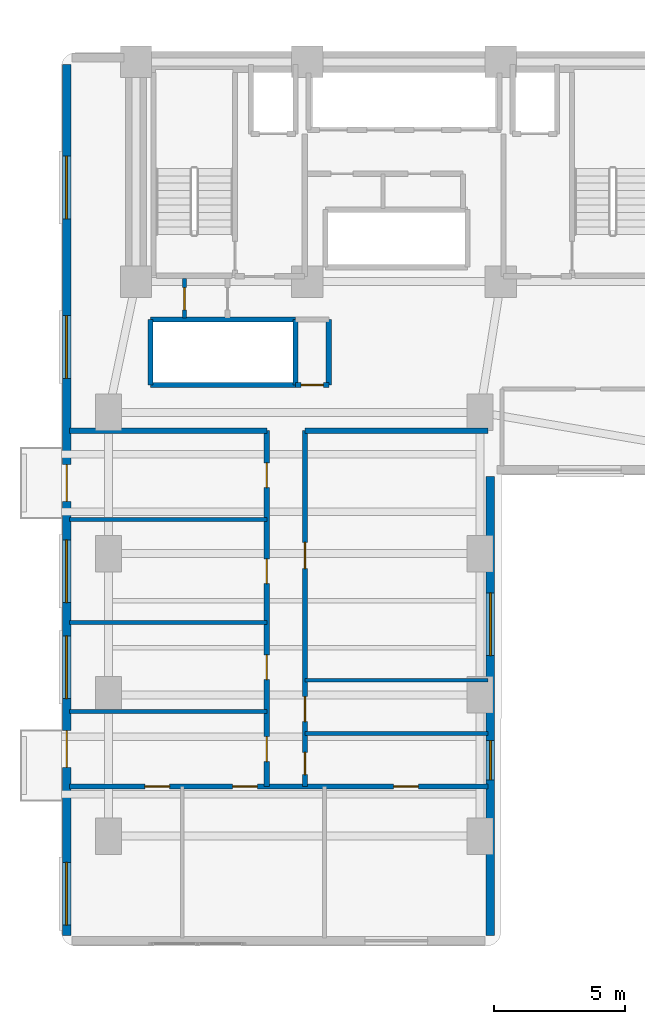
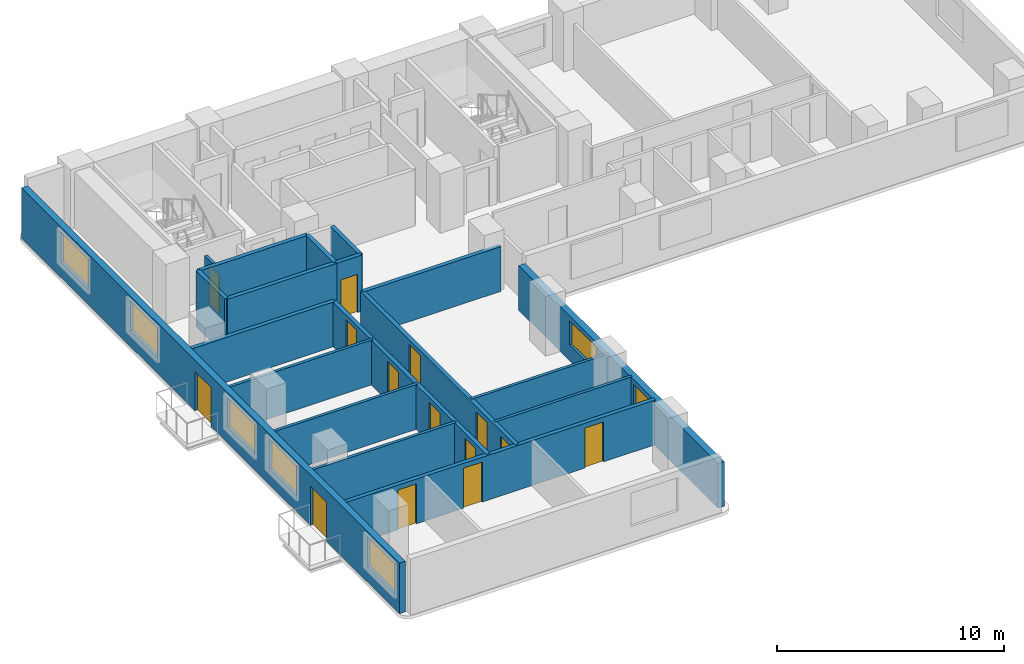
# One storey, part 10 of 18: 19 walls, 14 doors, 7 windows, 21 openings.
"""IFC4 building model written with IfcOpenShell, lengths in metres."""

from ifc_helpers import new_model, si_unit, direction, frame, frame_2d, origin, place, context, subcontext, project, spatial, rectangle, extrude, material, layer, layer_set, type_object, element, fill, save


model = new_model("IFC4")

# Units and contexts
model_context = context("Model", 3, precision=1e-05, world=origin(), true_north=direction((0.0, 1.0)))
body_context = subcontext(model_context, "Body", "Model", "MODEL_VIEW")
ifc_project = project(units=[si_unit("LENGTHUNIT", "METRE"), si_unit("AREAUNIT", "SQUARE_METRE"), si_unit("VOLUMEUNIT", "CUBIC_METRE"), si_unit("PLANEANGLEUNIT", "RADIAN"), si_unit("MASSUNIT", "GRAM", prefix="KILO")], contexts=[model_context])

# Site, building, storey
site_placement = place(None, origin())
site = spatial("IfcSite", under=ifc_project, at=site_placement, CompositionType="ELEMENT")
building_placement = place(site_placement, origin())
building = spatial("IfcBuilding", under=site, at=building_placement, Name="Kuzgunbayir Cultural Tower", CompositionType="ELEMENT")
storey_placement = place(building_placement, frame((0.0, 0.0, 53.199951171875)))
storey = spatial("IfcBuildingStorey", under=building, at=storey_placement, Name="L14", CompositionType="ELEMENT", Elevation=53.199951171875)

# Wall, openings, doors, windows
ifc_material_1 = material(Name="Travertine Buff Ashlar", Category="masonry")
ifc_layer_1 = layer(ifc_material_1, 0.320068359375)
ifc_layer_set_1 = layer_set([ifc_layer_1], Name="Travertine Buff Ashlar")
wall_type_1 = type_object("IfcWallType", Name="WAL-EXT-STONE-320", PredefinedType="STANDARD", material=ifc_layer_set_1)
wall_1_placement = place(storey_placement, frame((3.800048828125, 42.10009765625, 0.0), z_axis=(0.0, 0.0, 1.0), x_axis=(0.0, -1.0, 0.0)))
wall_1 = element("IfcWall", 1, at=wall_1_placement, inside=storey, type_object=wall_type_1, Name="L14 Wing A West Limestone Wall", PredefinedType="STANDARD", context=body_context, shape_type="SweptSolid", body=[
    extrude(rectangle(XDim=33.300048828125, YDim=0.320068359375, at=frame_2d((16.64990234375, 0.0))), origin(), (0.0, 0.0, 1.0), 2.7099609375),
])
opening_1_placement = place(wall_1_placement, frame((25.469970703125, 0.0, 0.0)))
opening_1 = element("IfcOpeningElement", 2, at=opening_1_placement, cuts=wall_1, Name="Opening BD-15", PredefinedType="OPENING", context=body_context, shape_type="SweptSolid", body=[
    extrude(rectangle(XDim=1.39990234375, YDim=2.10009765625, at=frame_2d((0.699951171875, 1.050048828125))), frame((0.0, 0.169921875, 0.0), z_axis=(0.0, -1.0, 0.0), x_axis=(1.0, 0.0, 0.0)), (0.0, 0.0, 1.0), 0.340087890625),
])
opening_2_placement = place(wall_1_placement, frame((15.300048828125, 0.0, 0.0)))
opening_2 = element("IfcOpeningElement", 3, at=opening_2_placement, cuts=wall_1, Name="Opening BD-15", PredefinedType="OPENING", context=body_context, shape_type="SweptSolid", body=[
    extrude(rectangle(XDim=1.39990234375, YDim=2.10009765625, at=frame_2d((0.699951171875, 1.050048828125))), frame((0.0, 0.169921875, 0.0), z_axis=(0.0, -1.0, 0.0), x_axis=(1.0, 0.0, 0.0)), (0.0, 0.0, 1.0), 0.340087890625),
])
opening_3_placement = place(wall_1_placement, frame((21.840087890625, 0.0, 0.85009765625)))
opening_3 = element("IfcOpeningElement", 4, at=opening_3_placement, cuts=wall_1, Name="Opening WO-24", PredefinedType="OPENING", context=body_context, shape_type="SweptSolid", body=[
    extrude(rectangle(XDim=2.39990234375, YDim=1.610107421875, at=frame_2d((1.199951171875, 0.80517578125))), frame((0.0, 0.169921875, 0.0), z_axis=(0.0, -1.0, 0.0), x_axis=(1.0, 0.0, 0.0)), (0.0, 0.0, 1.0), 0.340087890625),
])
opening_4_placement = place(wall_1_placement, frame((18.169921875, 0.0, 0.85009765625)))
opening_4 = element("IfcOpeningElement", 5, at=opening_4_placement, cuts=wall_1, Name="Opening WO-24", PredefinedType="OPENING", context=body_context, shape_type="SweptSolid", body=[
    extrude(rectangle(XDim=2.39990234375, YDim=1.610107421875, at=frame_2d((1.199951171875, 0.80517578125))), frame((0.0, 0.169921875, 0.0), z_axis=(0.0, -1.0, 0.0), x_axis=(1.0, 0.0, 0.0)), (0.0, 0.0, 1.0), 0.340087890625),
])
opening_5_placement = place(wall_1_placement, frame((30.5, 0.0, 0.85009765625)))
opening_5 = element("IfcOpeningElement", 6, at=opening_5_placement, cuts=wall_1, Name="Opening WO-24", PredefinedType="OPENING", context=body_context, shape_type="SweptSolid", body=[
    extrude(rectangle(XDim=2.39990234375, YDim=1.610107421875, at=frame_2d((1.199951171875, 0.80517578125))), frame((0.0, 0.169921875, 0.0), z_axis=(0.0, -1.0, 0.0), x_axis=(1.0, 0.0, 0.0)), (0.0, 0.0, 1.0), 0.340087890625),
])
opening_6_placement = place(wall_1_placement, frame((9.60009765625, 0.0, 0.85009765625)))
opening_6 = element("IfcOpeningElement", 7, at=opening_6_placement, cuts=wall_1, Name="Opening WO-24", PredefinedType="OPENING", context=body_context, shape_type="SweptSolid", body=[
    extrude(rectangle(XDim=2.39990234375, YDim=1.610107421875, at=frame_2d((1.199951171875, 0.80517578125))), frame((0.0, 0.169921875, 0.0), z_axis=(0.0, -1.0, 0.0), x_axis=(1.0, 0.0, 0.0)), (0.0, 0.0, 1.0), 0.340087890625),
])
opening_7_placement = place(wall_1_placement, frame((3.5, 0.0, 0.85009765625)))
opening_7 = element("IfcOpeningElement", 8, at=opening_7_placement, cuts=wall_1, Name="Opening WO-24", PredefinedType="OPENING", context=body_context, shape_type="SweptSolid", body=[
    extrude(rectangle(XDim=2.39990234375, YDim=1.610107421875, at=frame_2d((1.199951171875, 0.80517578125))), frame((0.0, 0.169921875, 0.0), z_axis=(0.0, -1.0, 0.0), x_axis=(1.0, 0.0, 0.0)), (0.0, 0.0, 1.0), 0.340087890625),
])
ifc_material_2 = material(Name="Thermally Broken Glazed Aluminium", Category="aluminium")
door_type_1 = type_object("IfcDoorType", Name="DR-BALCONY-150", OperationType="SLIDING_TO_RIGHT", PredefinedType="DOOR", material=ifc_material_2)
door_1_placement = place(opening_1_placement, origin())
door_1 = element("IfcDoor", 9, at=door_1_placement, inside=storey, type_object=door_type_1, Name="L14 West Balcony Sliding Door BAL-L14-WA1", OperationType="SLIDING_TO_RIGHT", OverallHeight=2.10009765625, OverallWidth=1.39990234375, PredefinedType="DOOR", context=body_context, shape_type="SweptSolid", body=[
    extrude(rectangle(XDim=1.39990234375, YDim=2.10009765625, at=frame_2d((0.699951171875, 1.050048828125))), frame((0.0, 0.02490234375, 0.0), z_axis=(0.0, -1.0, 0.0), x_axis=(1.0, 0.0, 0.0)), (0.0, 0.0, 1.0), 0.050048828125),
])
fill(opening_1, door_1)
door_2_placement = place(opening_2_placement, origin())
door_2 = element("IfcDoor", 10, at=door_2_placement, inside=storey, type_object=door_type_1, Name="L14 West Balcony Sliding Door BAL-L14-WA3", OperationType="SLIDING_TO_RIGHT", OverallHeight=2.10009765625, OverallWidth=1.39990234375, PredefinedType="DOOR", context=body_context, shape_type="SweptSolid", body=[
    extrude(rectangle(XDim=1.39990234375, YDim=2.10009765625, at=frame_2d((0.699951171875, 1.050048828125))), frame((0.0, 0.02490234375, 0.0), z_axis=(0.0, -1.0, 0.0), x_axis=(1.0, 0.0, 0.0)), (0.0, 0.0, 1.0), 0.050048828125),
])
fill(opening_2, door_2)
ifc_material_3 = material(Name="Solar-Control Triple Glazing", Category="glass")
window_type_1 = type_object("IfcWindowType", Name="WIN-OFFICE-24", PartitioningType="SINGLE_PANEL", PredefinedType="WINDOW", material=ifc_material_3)
window_1_placement = place(opening_3_placement, origin())
window_1 = element("IfcWindow", 11, at=window_1_placement, inside=storey, type_object=window_type_1, Name="L14 WAW Facade Window 2", OverallHeight=1.610107421875, OverallWidth=2.39990234375, PartitioningType="SINGLE_PANEL", PredefinedType="WINDOW", context=body_context, shape_type="SweptSolid", body=[
    extrude(rectangle(XDim=2.39990234375, YDim=1.610107421875, at=frame_2d((1.199951171875, 0.80517578125))), frame((0.0, 0.030029296875, 0.0), z_axis=(0.0, -1.0, 0.0), x_axis=(1.0, 0.0, 0.0)), (0.0, 0.0, 1.0), 0.06005859375),
])
fill(opening_3, window_1)
window_2_placement = place(opening_4_placement, origin())
window_2 = element("IfcWindow", 12, at=window_2_placement, inside=storey, type_object=window_type_1, Name="L14 WAW Facade Window 3", OverallHeight=1.610107421875, OverallWidth=2.39990234375, PartitioningType="SINGLE_PANEL", PredefinedType="WINDOW", context=body_context, shape_type="SweptSolid", body=[
    extrude(rectangle(XDim=2.39990234375, YDim=1.610107421875, at=frame_2d((1.199951171875, 0.80517578125))), frame((0.0, 0.030029296875, 0.0), z_axis=(0.0, -1.0, 0.0), x_axis=(1.0, 0.0, 0.0)), (0.0, 0.0, 1.0), 0.06005859375),
])
fill(opening_4, window_2)
window_3_placement = place(opening_5_placement, origin())
window_3 = element("IfcWindow", 13, at=window_3_placement, inside=storey, type_object=window_type_1, Name="L14 WAW Facade Window 7", OverallHeight=1.610107421875, OverallWidth=2.39990234375, PartitioningType="SINGLE_PANEL", PredefinedType="WINDOW", context=body_context, shape_type="SweptSolid", body=[
    extrude(rectangle(XDim=2.39990234375, YDim=1.610107421875, at=frame_2d((1.199951171875, 0.80517578125))), frame((0.0, 0.030029296875, 0.0), z_axis=(0.0, -1.0, 0.0), x_axis=(1.0, 0.0, 0.0)), (0.0, 0.0, 1.0), 0.06005859375),
])
fill(opening_5, window_3)
window_4_placement = place(opening_6_placement, origin())
window_4 = element("IfcWindow", 14, at=window_4_placement, inside=storey, type_object=window_type_1, Name="L14 WAW Facade Window 8", OverallHeight=1.610107421875, OverallWidth=2.39990234375, PartitioningType="SINGLE_PANEL", PredefinedType="WINDOW", context=body_context, shape_type="SweptSolid", body=[
    extrude(rectangle(XDim=2.39990234375, YDim=1.610107421875, at=frame_2d((1.199951171875, 0.80517578125))), frame((0.0, 0.030029296875, 0.0), z_axis=(0.0, -1.0, 0.0), x_axis=(1.0, 0.0, 0.0)), (0.0, 0.0, 1.0), 0.06005859375),
])
fill(opening_6, window_4)
window_5_placement = place(opening_7_placement, origin())
window_5 = element("IfcWindow", 15, at=window_5_placement, inside=storey, type_object=window_type_1, Name="L14 WAW Facade Window 9", OverallHeight=1.610107421875, OverallWidth=2.39990234375, PartitioningType="SINGLE_PANEL", PredefinedType="WINDOW", context=body_context, shape_type="SweptSolid", body=[
    extrude(rectangle(XDim=2.39990234375, YDim=1.610107421875, at=frame_2d((1.199951171875, 0.80517578125))), frame((0.0, 0.030029296875, 0.0), z_axis=(0.0, -1.0, 0.0), x_axis=(1.0, 0.0, 0.0)), (0.0, 0.0, 1.0), 0.06005859375),
])
fill(opening_7, window_5)

# Wall, openings, windows
wall_2_placement = place(storey_placement, frame((20.0, 8.800048828125, 0.0), z_axis=(0.0, 0.0, 1.0), x_axis=(0.0, 1.0, 0.0)))
wall_2 = element("IfcWall", 16, at=wall_2_placement, inside=storey, type_object=wall_type_1, Name="L14 Wing A East Limestone Wall", PredefinedType="STANDARD", context=body_context, shape_type="SweptSolid", body=[
    extrude(rectangle(XDim=17.550048828125, YDim=0.320068359375, at=frame_2d((8.77490234375, 0.0))), origin(), (0.0, 0.0, 1.0), 2.41015625),
])
opening_8_placement = place(wall_2_placement, frame((5.949951171875, 0.0, 0.85009765625)))
opening_8 = element("IfcOpeningElement", 17, at=opening_8_placement, cuts=wall_2, Name="Opening WR-15", PredefinedType="OPENING", context=body_context, shape_type="SweptSolid", body=[
    extrude(rectangle(XDim=1.5, YDim=1.31005859375, at=frame_2d((0.75, 0.655029296875))), frame((0.0, 0.169921875, 0.0), z_axis=(0.0, -1.0, 0.0), x_axis=(1.0, 0.0, 0.0)), (0.0, 0.0, 1.0), 0.340087890625),
])
opening_9_placement = place(wall_2_placement, frame((10.699951171875, 0.0, 0.85009765625)))
opening_9 = element("IfcOpeningElement", 18, at=opening_9_placement, cuts=wall_2, Name="Opening WO-24", PredefinedType="OPENING", context=body_context, shape_type="SweptSolid", body=[
    extrude(rectangle(XDim=2.39990234375, YDim=1.31005859375, at=frame_2d((1.199951171875, 0.655029296875))), frame((0.0, 0.169921875, 0.0), z_axis=(0.0, -1.0, 0.0), x_axis=(1.0, 0.0, 0.0)), (0.0, 0.0, 1.0), 0.340087890625),
])
window_6_placement = place(opening_9_placement, origin())
window_6 = element("IfcWindow", 19, at=window_6_placement, inside=storey, type_object=window_type_1, Name="L14 WAE Facade Window 11", OverallHeight=1.31005859375, OverallWidth=2.39990234375, PartitioningType="SINGLE_PANEL", PredefinedType="WINDOW", context=body_context, shape_type="SweptSolid", body=[
    extrude(rectangle(XDim=2.39990234375, YDim=1.31005859375, at=frame_2d((1.199951171875, 0.655029296875))), frame((0.0, 0.030029296875, 0.0), z_axis=(0.0, -1.0, 0.0), x_axis=(1.0, 0.0, 0.0)), (0.0, 0.0, 1.0), 0.06005859375),
])
fill(opening_9, window_6)
window_type_2 = type_object("IfcWindowType", Name="WIN-RESID-15", PartitioningType="SINGLE_PANEL", PredefinedType="WINDOW", material=ifc_material_3)
window_7_placement = place(opening_8_placement, origin())
window_7 = element("IfcWindow", 20, at=window_7_placement, inside=storey, type_object=window_type_2, Name="L14 WAE Facade Window 10", OverallHeight=1.31005859375, OverallWidth=1.5, PartitioningType="SINGLE_PANEL", PredefinedType="WINDOW", context=body_context, shape_type="SweptSolid", body=[
    extrude(rectangle(XDim=1.5, YDim=1.31005859375, at=frame_2d((0.75, 0.655029296875))), frame((0.0, 0.030029296875, 0.0), z_axis=(0.0, -1.0, 0.0), x_axis=(1.0, 0.0, 0.0)), (0.0, 0.0, 1.0), 0.06005859375),
])
fill(opening_8, window_7)

# Wall, opening, door
ifc_material_4 = material(Name="Acoustic Double-Stud Drywall", Category="gypsum")
ifc_layer_2 = layer(ifc_material_4, 0.14990234375)
ifc_layer_set_2 = layer_set([ifc_layer_2], Name="Acoustic Double-Stud Drywall")
wall_type_2 = type_object("IfcWallType", Name="WAL-PART-ACOUSTIC-150", PredefinedType="PARTITIONING", material=ifc_layer_set_2)
wall_3_placement = place(storey_placement, frame((8.300048828125, 32.39990234375, 0.0), z_axis=(0.0, 0.0, 1.0), x_axis=(0.0, 1.0, 0.0)))
wall_3 = element("IfcWall", 21, at=wall_3_placement, inside=storey, type_object=wall_type_2, Name="L14 West Core Closet Divider", PredefinedType="PARTITIONING", context=body_context, shape_type="SweptSolid", body=[
    extrude(rectangle(XDim=1.52001953125, YDim=0.14990234375, at=frame_2d((0.760009765625, 0.0))), origin(), (0.0, 0.0, 1.0), 2.41015625),
])
opening_10_placement = place(wall_3_placement, frame((0.320068359375, 0.0, 0.0)))
opening_10 = element("IfcOpeningElement", 22, at=opening_10_placement, cuts=wall_3, Name="Opening DR-RSR-60", PredefinedType="OPENING", context=body_context, shape_type="SweptSolid", body=[
    extrude(rectangle(XDim=0.85009765625, YDim=2.050048828125, at=frame_2d((0.425048828125, 1.02490234375))), frame((0.0, 0.0849609375, 0.0), z_axis=(0.0, -1.0, 0.0), x_axis=(1.0, 0.0, 0.0)), (0.0, 0.0, 1.0), 0.169921875),
])
ifc_material_5 = material(Name="Steel Access Leaf", Category="steel")
door_type_2 = type_object("IfcDoorType", Name="DR-RISER-60", OperationType="NOTDEFINED", PredefinedType="DOOR", material=ifc_material_5)
door_3_placement = place(opening_10_placement, origin())
door_3 = element("IfcDoor", 23, at=door_3_placement, inside=storey, type_object=door_type_2, Name="L14 Sub-Meter Closet Door", OperationType="SINGLE_SWING_RIGHT", OverallHeight=2.050048828125, OverallWidth=0.85009765625, PredefinedType="DOOR", context=body_context, shape_type="SweptSolid", body=[
    extrude(rectangle(XDim=0.85009765625, YDim=2.050048828125, at=frame_2d((0.425048828125, 1.02490234375))), frame((0.0, 0.02490234375, 0.0), z_axis=(0.0, -1.0, 0.0), x_axis=(1.0, 0.0, 0.0)), (0.0, 0.0, 1.0), 0.050048828125),
])
fill(opening_10, door_3)

# Walls
for number, where, z_axis, x_axis, name in (
    (24, (3.89990234375, 17.360107421875, 0.0), (0.0, 0.0, 1.0), (1.0, 0.0, 0.0), "L14 West Suite Partition 1"),
    (25, (3.89990234375, 20.760009765625, 0.0), (0.0, 0.0, 1.0), (1.0, 0.0, 0.0), "L14 West Suite Partition 2"),
    (26, (3.89990234375, 24.699951171875, 0.0), (0.0, 0.0, 1.0), (1.0, 0.0, 0.0), "L14 West Suite Partition 3"),
):
    element("IfcWall", number, at=place(storey_placement, frame(where, z_axis=z_axis, x_axis=x_axis)), inside=storey, type_object=wall_type_2, Name=name, PredefinedType="PARTITIONING", context=body_context, shape_type="SweptSolid", body=[
        extrude(rectangle(XDim=7.550048828125, YDim=0.14990234375, at=frame_2d((3.77490234375, 0.0))), origin(), (0.0, 0.0, 1.0), 2.41015625),
    ])

# Wall, opening, door
ifc_material_6 = material(Name="Aerated Concrete Blockwork", Category="masonry")
ifc_layer_3 = layer(ifc_material_6, 0.199951171875)
ifc_layer_set_3 = layer_set([ifc_layer_3], Name="Aerated Concrete Blockwork")
wall_type_3 = type_object("IfcWallType", Name="WAL-PART-FIRE-200", PredefinedType="PARTITIONING", material=ifc_layer_set_3)
wall_4_placement = place(storey_placement, frame((12.550048828125, 29.85009765625, 0.0), z_axis=(0.0, 0.0, 1.0), x_axis=(1.0, 0.0, 0.0)))
wall_4 = element("IfcWall", 27, at=wall_4_placement, inside=storey, type_object=wall_type_3, Name="L14 Center Core Switchgear South Wall", PredefinedType="PARTITIONING", context=body_context, shape_type="SweptSolid", body=[
    extrude(rectangle(XDim=1.27001953125, YDim=0.199951171875, at=frame_2d((0.635009765625, 0.0))), origin(), (0.0, 0.0, 1.0), 3.02001953125),
])
opening_11_placement = place(wall_4_placement, frame((0.2099609375, 0.0, 0.0)))
opening_11 = element("IfcOpeningElement", 28, at=opening_11_placement, cuts=wall_4, Name="Opening DR-RSR-60", PredefinedType="OPENING", context=body_context, shape_type="SweptSolid", body=[
    extrude(rectangle(XDim=0.85009765625, YDim=2.050048828125, at=frame_2d((0.425048828125, 1.02490234375))), frame((0.0, 0.10986328125, 0.0), z_axis=(0.0, -1.0, 0.0), x_axis=(1.0, 0.0, 0.0)), (0.0, 0.0, 1.0), 0.219970703125),
])
door_4_placement = place(opening_11_placement, origin())
door_4 = element("IfcDoor", 29, at=door_4_placement, inside=storey, type_object=door_type_2, Name="L14 Telecom Closet Door", OperationType="SINGLE_SWING_LEFT", OverallHeight=2.050048828125, OverallWidth=0.85009765625, PredefinedType="DOOR", context=body_context, shape_type="SweptSolid", body=[
    extrude(rectangle(XDim=0.85009765625, YDim=2.050048828125, at=frame_2d((0.425048828125, 1.02490234375))), frame((0.0, 0.02490234375, 0.0), z_axis=(0.0, -1.0, 0.0), x_axis=(1.0, 0.0, 0.0)), (0.0, 0.0, 1.0), 0.050048828125),
])
fill(opening_11, door_4)

# Wall
wall_5_placement = place(storey_placement, frame((13.820068359375, 29.85009765625, 0.0), z_axis=(0.0, 0.0, 1.0), x_axis=(0.0, 1.0, 0.0)))
element("IfcWall", 30, at=wall_5_placement, inside=storey, type_object=wall_type_3, Name="L14 Center Core Switchgear East Wall", PredefinedType="PARTITIONING", context=body_context, shape_type="SweptSolid", body=[
    extrude(rectangle(XDim=2.5, YDim=0.199951171875, at=frame_2d((1.25, 0.0))), origin(), (0.0, 0.0, 1.0), 3.02001953125),
])

# Wall, openings, doors
wall_6_placement = place(storey_placement, frame((11.449951171875, 14.5, 0.0), z_axis=(0.0, 0.0, 1.0), x_axis=(0.0, 1.0, 0.0)))
wall_6 = element("IfcWall", 31, at=wall_6_placement, inside=storey, type_object=wall_type_3, Name="L14 Wing A West Corridor Wall", PredefinedType="PARTITIONING", context=body_context, shape_type="SweptSolid", body=[
    extrude(rectangle(XDim=13.60009765625, YDim=0.199951171875, at=frame_2d((6.800048828125, 0.0))), origin(), (0.0, 0.0, 1.0), 2.41015625),
])
opening_12_placement = place(wall_6_placement, frame((0.949951171875, 0.0, 0.0)))
opening_12 = element("IfcOpeningElement", 32, at=opening_12_placement, cuts=wall_6, Name="Opening DI-90", PredefinedType="OPENING", context=body_context, shape_type="SweptSolid", body=[
    extrude(rectangle(XDim=0.949951171875, YDim=2.14990234375, at=frame_2d((0.47509765625, 1.074951171875))), frame((0.0, 0.10986328125, 0.0), z_axis=(0.0, -1.0, 0.0), x_axis=(1.0, 0.0, 0.0)), (0.0, 0.0, 1.0), 0.219970703125),
])
opening_13_placement = place(wall_6_placement, frame((4.080078125, 0.0, 0.0)))
opening_13 = element("IfcOpeningElement", 33, at=opening_13_placement, cuts=wall_6, Name="Opening DI-90", PredefinedType="OPENING", context=body_context, shape_type="SweptSolid", body=[
    extrude(rectangle(XDim=0.949951171875, YDim=2.14990234375, at=frame_2d((0.47509765625, 1.074951171875))), frame((0.0, 0.10986328125, 0.0), z_axis=(0.0, -1.0, 0.0), x_axis=(1.0, 0.0, 0.0)), (0.0, 0.0, 1.0), 0.219970703125),
])
opening_14_placement = place(wall_6_placement, frame((7.75, 0.0, 0.0)))
opening_14 = element("IfcOpeningElement", 34, at=opening_14_placement, cuts=wall_6, Name="Opening DI-90", PredefinedType="OPENING", context=body_context, shape_type="SweptSolid", body=[
    extrude(rectangle(XDim=0.949951171875, YDim=2.14990234375, at=frame_2d((0.47509765625, 1.074951171875))), frame((0.0, 0.10986328125, 0.0), z_axis=(0.0, -1.0, 0.0), x_axis=(1.0, 0.0, 0.0)), (0.0, 0.0, 1.0), 0.219970703125),
])
opening_15_placement = place(wall_6_placement, frame((11.419921875, 0.0, 0.0)))
opening_15 = element("IfcOpeningElement", 35, at=opening_15_placement, cuts=wall_6, Name="Opening DI-90", PredefinedType="OPENING", context=body_context, shape_type="SweptSolid", body=[
    extrude(rectangle(XDim=0.949951171875, YDim=2.14990234375, at=frame_2d((0.47509765625, 1.074951171875))), frame((0.0, 0.10986328125, 0.0), z_axis=(0.0, -1.0, 0.0), x_axis=(1.0, 0.0, 0.0)), (0.0, 0.0, 1.0), 0.219970703125),
])
ifc_material_7 = material(Name="Veneered Oak Single Leaf", Category="wood")
door_type_3 = type_object("IfcDoorType", Name="DR-INT-90", OperationType="NOTDEFINED", PredefinedType="DOOR", material=ifc_material_7)
door_5_placement = place(opening_12_placement, origin())
door_5 = element("IfcDoor", 36, at=door_5_placement, inside=storey, type_object=door_type_3, Name="L14 Wellness Consultation Studio W1 Door", OperationType="SINGLE_SWING_LEFT", OverallHeight=2.14990234375, OverallWidth=0.949951171875, PredefinedType="DOOR", context=body_context, shape_type="SweptSolid", body=[
    extrude(rectangle(XDim=0.949951171875, YDim=2.14990234375, at=frame_2d((0.47509765625, 1.074951171875))), frame((0.0, 0.02490234375, 0.0), z_axis=(0.0, -1.0, 0.0), x_axis=(1.0, 0.0, 0.0)), (0.0, 0.0, 1.0), 0.050048828125),
])
fill(opening_12, door_5)
door_6_placement = place(opening_13_placement, origin())
door_6 = element("IfcDoor", 37, at=door_6_placement, inside=storey, type_object=door_type_3, Name="L14 Wellness Consultation Studio W2 Door", OperationType="SINGLE_SWING_RIGHT", OverallHeight=2.14990234375, OverallWidth=0.949951171875, PredefinedType="DOOR", context=body_context, shape_type="SweptSolid", body=[
    extrude(rectangle(XDim=0.949951171875, YDim=2.14990234375, at=frame_2d((0.47509765625, 1.074951171875))), frame((0.0, 0.02490234375, 0.0), z_axis=(0.0, -1.0, 0.0), x_axis=(1.0, 0.0, 0.0)), (0.0, 0.0, 1.0), 0.050048828125),
])
fill(opening_13, door_6)
door_7_placement = place(opening_14_placement, origin())
door_7 = element("IfcDoor", 38, at=door_7_placement, inside=storey, type_object=door_type_3, Name="L14 Wellness Consultation Studio W3 Door", OperationType="SINGLE_SWING_LEFT", OverallHeight=2.14990234375, OverallWidth=0.949951171875, PredefinedType="DOOR", context=body_context, shape_type="SweptSolid", body=[
    extrude(rectangle(XDim=0.949951171875, YDim=2.14990234375, at=frame_2d((0.47509765625, 1.074951171875))), frame((0.0, 0.02490234375, 0.0), z_axis=(0.0, -1.0, 0.0), x_axis=(1.0, 0.0, 0.0)), (0.0, 0.0, 1.0), 0.050048828125),
])
fill(opening_14, door_7)
door_8_placement = place(opening_15_placement, origin())
door_8 = element("IfcDoor", 39, at=door_8_placement, inside=storey, type_object=door_type_3, Name="L14 Culinary Tasting Pantry W4 Door", OperationType="SINGLE_SWING_RIGHT", OverallHeight=2.14990234375, OverallWidth=0.949951171875, PredefinedType="DOOR", context=body_context, shape_type="SweptSolid", body=[
    extrude(rectangle(XDim=0.949951171875, YDim=2.14990234375, at=frame_2d((0.47509765625, 1.074951171875))), frame((0.0, 0.02490234375, 0.0), z_axis=(0.0, -1.0, 0.0), x_axis=(1.0, 0.0, 0.0)), (0.0, 0.0, 1.0), 0.050048828125),
])
fill(opening_15, door_8)

wall_7_placement = place(storey_placement, frame((12.909912109375, 14.5, 0.0), z_axis=(0.0, 0.0, 1.0), x_axis=(0.0, 1.0, 0.0)))
wall_7 = element("IfcWall", 40, at=wall_7_placement, inside=storey, type_object=wall_type_3, Name="L14 Wing A East Corridor Wall", PredefinedType="PARTITIONING", context=body_context, shape_type="SweptSolid", body=[
    extrude(rectangle(XDim=13.60009765625, YDim=0.199951171875, at=frame_2d((6.800048828125, 0.0))), origin(), (0.0, 0.0, 1.0), 2.41015625),
])
opening_16_placement = place(wall_7_placement, frame((0.449951171875, 0.0, 0.0)))
opening_16 = element("IfcOpeningElement", 41, at=opening_16_placement, cuts=wall_7, Name="Opening DW-85", PredefinedType="OPENING", context=body_context, shape_type="SweptSolid", body=[
    extrude(rectangle(XDim=0.85009765625, YDim=2.10009765625, at=frame_2d((0.425048828125, 1.050048828125))), frame((0.0, 0.10986328125, 0.0), z_axis=(0.0, -1.0, 0.0), x_axis=(1.0, 0.0, 0.0)), (0.0, 0.0, 1.0), 0.219970703125),
])
opening_17_placement = place(wall_7_placement, frame((2.47998046875, 0.0, 0.0)))
opening_17 = element("IfcOpeningElement", 42, at=opening_17_placement, cuts=wall_7, Name="Opening DW-95", PredefinedType="OPENING", context=body_context, shape_type="SweptSolid", body=[
    extrude(rectangle(XDim=0.949951171875, YDim=2.10009765625, at=frame_2d((0.47509765625, 1.050048828125))), frame((0.0, 0.10986328125, 0.0), z_axis=(0.0, -1.0, 0.0), x_axis=(1.0, 0.0, 0.0)), (0.0, 0.0, 1.0), 0.219970703125),
])
opening_18_placement = place(wall_7_placement, frame((8.330078125, 0.0, 0.0)))
opening_18 = element("IfcOpeningElement", 43, at=opening_18_placement, cuts=wall_7, Name="Opening DI-100", PredefinedType="OPENING", context=body_context, shape_type="SweptSolid", body=[
    extrude(rectangle(XDim=1.0, YDim=2.14990234375, at=frame_2d((0.5, 1.074951171875))), frame((0.0, 0.10986328125, 0.0), z_axis=(0.0, -1.0, 0.0), x_axis=(1.0, 0.0, 0.0)), (0.0, 0.0, 1.0), 0.219970703125),
])
door_type_4 = type_object("IfcDoorType", Name="DR-INT-100", OperationType="NOTDEFINED", PredefinedType="DOOR", material=ifc_material_7)
door_9_placement = place(opening_18_placement, origin())
door_9 = element("IfcDoor", 44, at=door_9_placement, inside=storey, type_object=door_type_4, Name="L14 East Art Publication Salon 1 Door", OperationType="SINGLE_SWING_RIGHT", OverallHeight=2.14990234375, OverallWidth=1.0, PredefinedType="DOOR", context=body_context, shape_type="SweptSolid", body=[
    extrude(rectangle(XDim=1.0, YDim=2.14990234375, at=frame_2d((0.5, 1.074951171875))), frame((0.0, 0.02490234375, 0.0), z_axis=(0.0, -1.0, 0.0), x_axis=(1.0, 0.0, 0.0)), (0.0, 0.0, 1.0), 0.050048828125),
])
fill(opening_18, door_9)
ifc_material_8 = material(Name="Laminate Moisture-Resistant Leaf", Category="wood")
door_type_5 = type_object("IfcDoorType", Name="DR-WET-85", OperationType="NOTDEFINED", PredefinedType="DOOR", material=ifc_material_8)
door_10_placement = place(opening_16_placement, origin())
door_10 = element("IfcDoor", 45, at=door_10_placement, inside=storey, type_object=door_type_5, Name="L14 Restroom Door", OperationType="SINGLE_SWING_RIGHT", OverallHeight=2.10009765625, OverallWidth=0.85009765625, PredefinedType="DOOR", context=body_context, shape_type="SweptSolid", body=[
    extrude(rectangle(XDim=0.85009765625, YDim=2.10009765625, at=frame_2d((0.425048828125, 1.050048828125))), frame((0.0, 0.02490234375, 0.0), z_axis=(0.0, -1.0, 0.0), x_axis=(1.0, 0.0, 0.0)), (0.0, 0.0, 1.0), 0.050048828125),
])
fill(opening_16, door_10)
door_type_6 = type_object("IfcDoorType", Name="DR-WET-95", OperationType="NOTDEFINED", PredefinedType="DOOR", material=ifc_material_8)
door_11_placement = place(opening_17_placement, origin())
door_11 = element("IfcDoor", 46, at=door_11_placement, inside=storey, type_object=door_type_6, Name="L14 Accessible WC Door", OperationType="SINGLE_SWING_LEFT", OverallHeight=2.10009765625, OverallWidth=0.949951171875, PredefinedType="DOOR", context=body_context, shape_type="SweptSolid", body=[
    extrude(rectangle(XDim=0.949951171875, YDim=2.10009765625, at=frame_2d((0.47509765625, 1.050048828125))), frame((0.0, 0.02490234375, 0.0), z_axis=(0.0, -1.0, 0.0), x_axis=(1.0, 0.0, 0.0)), (0.0, 0.0, 1.0), 0.050048828125),
])
fill(opening_17, door_11)

wall_8_placement = place(storey_placement, frame((3.89990234375, 14.5, 0.0), z_axis=(0.0, 0.0, 1.0), x_axis=(1.0, 0.0, 0.0)))
wall_8 = element("IfcWall", 47, at=wall_8_placement, inside=storey, type_object=wall_type_3, Name="L14 South Cross Partition", PredefinedType="PARTITIONING", context=body_context, shape_type="SweptSolid", body=[
    extrude(rectangle(XDim=16.0, YDim=0.199951171875, at=frame_2d((8.0, 0.0))), origin(), (0.0, 0.0, 1.0), 2.41015625),
])
opening_19_placement = place(wall_8_placement, frame((2.889892578125, 0.0, 0.0)))
opening_19 = element("IfcOpeningElement", 48, at=opening_19_placement, cuts=wall_8, Name="Opening DI-90", PredefinedType="OPENING", context=body_context, shape_type="SweptSolid", body=[
    extrude(rectangle(XDim=0.949951171875, YDim=2.14990234375, at=frame_2d((0.47509765625, 1.074951171875))), frame((0.0, 0.10986328125, 0.0), z_axis=(0.0, -1.0, 0.0), x_axis=(1.0, 0.0, 0.0)), (0.0, 0.0, 1.0), 0.219970703125),
])
opening_20_placement = place(wall_8_placement, frame((6.239990234375, 0.0, 0.0)))
opening_20 = element("IfcOpeningElement", 49, at=opening_20_placement, cuts=wall_8, Name="Opening DI-90", PredefinedType="OPENING", context=body_context, shape_type="SweptSolid", body=[
    extrude(rectangle(XDim=0.949951171875, YDim=2.14990234375, at=frame_2d((0.47509765625, 1.074951171875))), frame((0.0, 0.10986328125, 0.0), z_axis=(0.0, -1.0, 0.0), x_axis=(1.0, 0.0, 0.0)), (0.0, 0.0, 1.0), 0.219970703125),
])
opening_21_placement = place(wall_8_placement, frame((12.39990234375, 0.0, 0.0)))
opening_21 = element("IfcOpeningElement", 50, at=opening_21_placement, cuts=wall_8, Name="Opening DI-90", PredefinedType="OPENING", context=body_context, shape_type="SweptSolid", body=[
    extrude(rectangle(XDim=0.949951171875, YDim=2.14990234375, at=frame_2d((0.47509765625, 1.074951171875))), frame((0.0, 0.10986328125, 0.0), z_axis=(0.0, -1.0, 0.0), x_axis=(1.0, 0.0, 0.0)), (0.0, 0.0, 1.0), 0.219970703125),
])
door_12_placement = place(opening_19_placement, origin())
door_12 = element("IfcDoor", 51, at=door_12_placement, inside=storey, type_object=door_type_3, Name="L14 South Suite S1 Door", OperationType="SINGLE_SWING_LEFT", OverallHeight=2.14990234375, OverallWidth=0.949951171875, PredefinedType="DOOR", context=body_context, shape_type="SweptSolid", body=[
    extrude(rectangle(XDim=0.949951171875, YDim=2.14990234375, at=frame_2d((0.47509765625, 1.074951171875))), frame((0.0, 0.02490234375, 0.0), z_axis=(0.0, -1.0, 0.0), x_axis=(1.0, 0.0, 0.0)), (0.0, 0.0, 1.0), 0.050048828125),
])
fill(opening_19, door_12)
door_13_placement = place(opening_20_placement, origin())
door_13 = element("IfcDoor", 52, at=door_13_placement, inside=storey, type_object=door_type_3, Name="L14 South Suite S2 Door", OperationType="SINGLE_SWING_RIGHT", OverallHeight=2.14990234375, OverallWidth=0.949951171875, PredefinedType="DOOR", context=body_context, shape_type="SweptSolid", body=[
    extrude(rectangle(XDim=0.949951171875, YDim=2.14990234375, at=frame_2d((0.47509765625, 1.074951171875))), frame((0.0, 0.02490234375, 0.0), z_axis=(0.0, -1.0, 0.0), x_axis=(1.0, 0.0, 0.0)), (0.0, 0.0, 1.0), 0.050048828125),
])
fill(opening_20, door_13)
door_14_placement = place(opening_21_placement, origin())
door_14 = element("IfcDoor", 53, at=door_14_placement, inside=storey, type_object=door_type_3, Name="L14 South Suite S3 Door", OperationType="SINGLE_SWING_LEFT", OverallHeight=2.14990234375, OverallWidth=0.949951171875, PredefinedType="DOOR", context=body_context, shape_type="SweptSolid", body=[
    extrude(rectangle(XDim=0.949951171875, YDim=2.14990234375, at=frame_2d((0.47509765625, 1.074951171875))), frame((0.0, 0.02490234375, 0.0), z_axis=(0.0, -1.0, 0.0), x_axis=(1.0, 0.0, 0.0)), (0.0, 0.0, 1.0), 0.050048828125),
])
fill(opening_21, door_14)

# Walls
wall_9_placement = place(storey_placement, frame((3.89990234375, 28.10009765625, 0.0), z_axis=(0.0, 0.0, 1.0), x_axis=(1.0, 0.0, 0.0)))
element("IfcWall", 54, at=wall_9_placement, inside=storey, type_object=wall_type_3, Name="L14 North West Partition", PredefinedType="PARTITIONING", context=body_context, shape_type="SweptSolid", body=[
    extrude(rectangle(XDim=7.550048828125, YDim=0.199951171875, at=frame_2d((3.77490234375, 0.0))), origin(), (0.0, 0.0, 1.0), 2.41015625),
])
wall_10_placement = place(storey_placement, frame((12.909912109375, 28.10009765625, 0.0), z_axis=(0.0, 0.0, 1.0), x_axis=(1.0, 0.0, 0.0)))
element("IfcWall", 55, at=wall_10_placement, inside=storey, type_object=wall_type_3, Name="L14 North East Partition", PredefinedType="PARTITIONING", context=body_context, shape_type="SweptSolid", body=[
    extrude(rectangle(XDim=6.989990234375, YDim=0.199951171875, at=frame_2d((3.4951171875, 0.0))), origin(), (0.0, 0.0, 1.0), 2.41015625),
])
ifc_material_9 = material(Name="Moisture-Resistant Tile Partition", Category="gypsum")
ifc_layer_4 = layer(ifc_material_9, 0.14990234375)
ifc_layer_set_4 = layer_set([ifc_layer_4], Name="Moisture-Resistant Tile Partition")
wall_type_4 = type_object("IfcWallType", Name="WAL-PART-WET-150", PredefinedType="PARTITIONING", material=ifc_layer_set_4)
for number, where, z_axis, x_axis, name in (
    (56, (12.909912109375, 16.530029296875, 0.0), (0.0, 0.0, 1.0), (1.0, 0.0, 0.0), "L14 WC North Wall"),
    (57, (12.909912109375, 18.56005859375, 0.0), (0.0, 0.0, 1.0), (1.0, 0.0, 0.0), "L14 Accessible WC North Wall"),
):
    element("IfcWall", number, at=place(storey_placement, frame(where, z_axis=z_axis, x_axis=x_axis)), inside=storey, type_object=wall_type_4, Name=name, PredefinedType="PARTITIONING", context=body_context, shape_type="SweptSolid", body=[
        extrude(rectangle(XDim=6.989990234375, YDim=0.14990234375, at=frame_2d((3.4951171875, 0.0))), origin(), (0.0, 0.0, 1.0), 2.41015625),
    ])
ifc_material_10 = material(Name="Concrete C40/50", Category="concrete")
ifc_layer_5 = layer(ifc_material_10, 0.199951171875)
ifc_layer_set_5 = layer_set([ifc_layer_5], Name="Concrete C40/50")
wall_type_5 = type_object("IfcWallType", Name="WAL-SHAFT-200", PredefinedType="MOVABLE", material=ifc_layer_set_5)
for number, where, z_axis, x_axis, name in (
    (58, (7.0, 29.85009765625, 0.0), (0.0, 0.0, 1.0), (1.0, 0.0, 0.0), "L14 High-Rise Lift Shaft South Wall"),
    (59, (7.0, 32.35009765625, 0.0), (0.0, 0.0, 1.0), (1.0, 0.0, 0.0), "L14 High-Rise Lift Shaft North Wall"),
):
    element("IfcWall", number, at=place(storey_placement, frame(where, z_axis=z_axis, x_axis=x_axis)), inside=storey, type_object=wall_type_5, Name=name, PredefinedType="MOVABLE", context=body_context, shape_type="SweptSolid", body=[
        extrude(rectangle(XDim=5.550048828125, YDim=0.199951171875, at=frame_2d((2.77490234375, 0.0))), origin(), (0.0, 0.0, 1.0), 3.02001953125),
    ])
for number, where, z_axis, x_axis, name in (
    (60, (7.0, 29.85009765625, 0.0), (0.0, 0.0, 1.0), (0.0, 1.0, 0.0), "L14 High-Rise Lift Shaft West Wall"),
    (61, (12.550048828125, 29.85009765625, 0.0), (0.0, 0.0, 1.0), (0.0, 1.0, 0.0), "L14 High-Rise Lift Shaft East Wall"),
):
    element("IfcWall", number, at=place(storey_placement, frame(where, z_axis=z_axis, x_axis=x_axis)), inside=storey, type_object=wall_type_5, Name=name, PredefinedType="MOVABLE", context=body_context, shape_type="SweptSolid", body=[
        extrude(rectangle(XDim=2.5, YDim=0.199951171875, at=frame_2d((1.25, 0.0))), origin(), (0.0, 0.0, 1.0), 3.02001953125),
    ])

save(model, "model.ifc")
